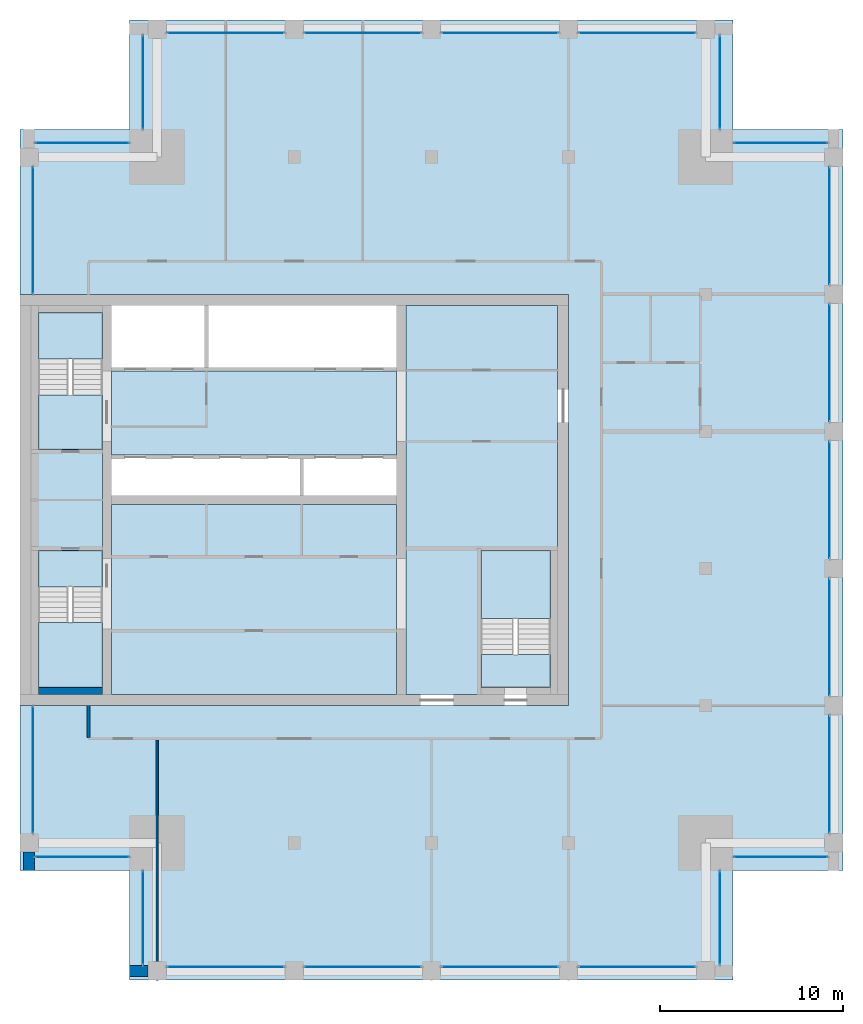
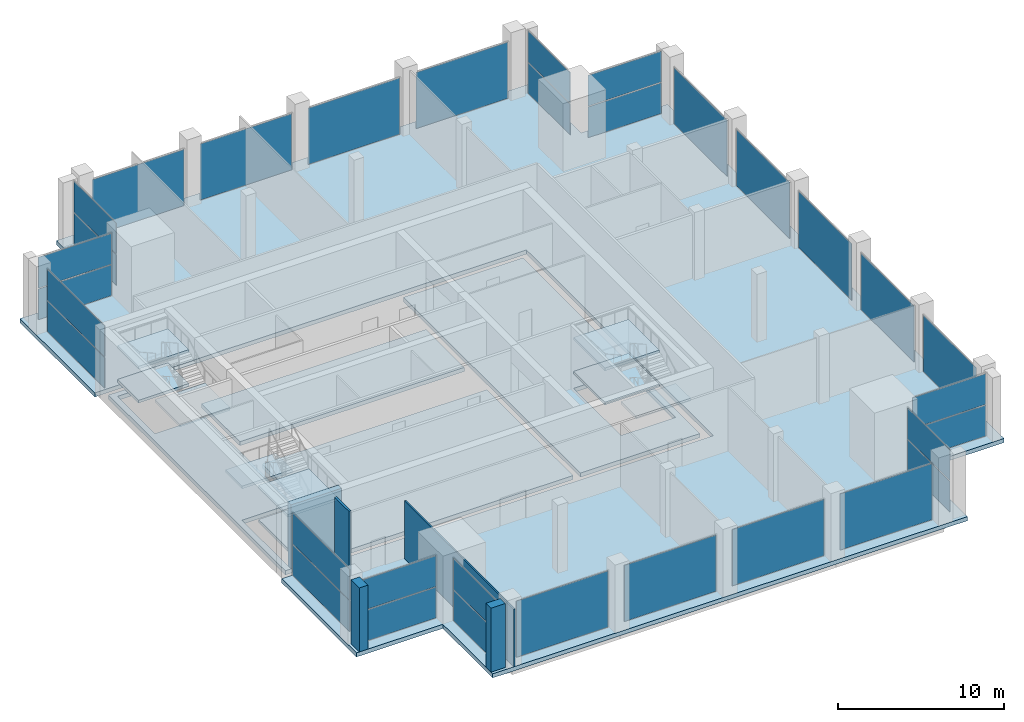
# One storey, part 7 of 15: 33 plates, 14 slabs, 5 walls, 26 elements without a shape of their own.
"""IFC4 building model written with IfcOpenShell, lengths in metres."""

from ifc_helpers import new_model, si_unit, direction, frame, frame_2d, origin, origin_2d, place, context, subcontext, project, spatial, polyline, rectangle, outline, extrude, material, layer, layer_set, type_object, element, aggregate, save


model = new_model("IFC4")

# Units and contexts
model_context = context("Model", 3, precision=1e-05, world=origin(), true_north=direction((0.0, 1.0)))
body_context = subcontext(model_context, "Body", "Model", "MODEL_VIEW")
ifc_project = project(units=[si_unit("LENGTHUNIT", "METRE"), si_unit("AREAUNIT", "SQUARE_METRE"), si_unit("VOLUMEUNIT", "CUBIC_METRE"), si_unit("PLANEANGLEUNIT", "RADIAN"), si_unit("MASSUNIT", "GRAM", prefix="KILO")], contexts=[model_context])

# Site, building, storey
site_placement = place(None, origin())
site = spatial("IfcSite", under=ifc_project, at=site_placement, CompositionType="ELEMENT")
building_placement = place(site_placement, origin())
building = spatial("IfcBuilding", under=site, at=building_placement, Name="Tamorin Gate", CompositionType="ELEMENT")
storey_placement = place(building_placement, frame((0.0, 0.0, 287.199951171875)))
storey = spatial("IfcBuildingStorey", under=building, at=storey_placement, Name="L72", CompositionType="ELEMENT", Elevation=287.199951171875)

# Curtain wall, plate
ifc_material_1 = material(Name="Aluminium mullions and transoms with clear glass", Category="aluminium")
ifc_layer_1 = layer(ifc_material_1, 0.159912109375)
ifc_layer_set_1 = layer_set([ifc_layer_1], Name="Curtain wall system CW2")
curtain_wall_type = type_object("IfcCurtainWallType", Name="Curtain wall system CW2", PredefinedType="NOTDEFINED", material=ifc_layer_set_1)
curtain_wall_1_placement = place(storey_placement, origin())
curtain_wall_1 = element("IfcCurtainWall", 1, at=curtain_wall_1_placement, inside=storey, type_object=curtain_wall_type, Name="Curtain wall", PredefinedType="NOTDEFINED")
ifc_material_2 = material(Name="Clear glass", Category="glass")
ifc_layer_2 = layer(ifc_material_2, 0.028076171875)
ifc_layer_set_2 = layer_set([ifc_layer_2], Name="Clear glass panel IGU 28")
plate_type = type_object("IfcPlateType", Name="Clear glass panel IGU 28", PredefinedType="CURTAIN_PANEL", material=ifc_layer_set_2)
plate_1_placement = place(storey_placement, frame((41.25, 45.719970703125, 0.06005859375), z_axis=(0.0, 0.0, 1.0), x_axis=(1.0, 0.0, 0.0)))
plate_1 = element("IfcPlate", 2, at=plate_1_placement, type_object=plate_type, Name="CW2 panel 1.1", PredefinedType="CURTAIN_PANEL", context=body_context, shape_type="SweptSolid", body=[
    extrude(rectangle(XDim=6.3798828125, YDim=0.028076171875, at=origin_2d()), origin(), (0.0, 0.0, 1.0), 4.1298828125),
])
aggregate(curtain_wall_1, [plate_1])

curtain_wall_2_placement = place(storey_placement, origin())
curtain_wall_2 = element("IfcCurtainWall", 3, at=curtain_wall_2_placement, inside=storey, type_object=curtain_wall_type, Name="Curtain wall", PredefinedType="NOTDEFINED")
plate_2_placement = place(storey_placement, frame((48.75, 45.719970703125, 0.06005859375), z_axis=(0.0, 0.0, 1.0), x_axis=(1.0, 0.0, 0.0)))
plate_2 = element("IfcPlate", 4, at=plate_2_placement, type_object=plate_type, Name="CW2 panel 1.1", PredefinedType="CURTAIN_PANEL", context=body_context, shape_type="SweptSolid", body=[
    extrude(rectangle(XDim=6.3798828125, YDim=0.028076171875, at=origin_2d()), origin(), (0.0, 0.0, 1.0), 4.1298828125),
])
aggregate(curtain_wall_2, [plate_2])

curtain_wall_3_placement = place(storey_placement, origin())
curtain_wall_3 = element("IfcCurtainWall", 5, at=curtain_wall_3_placement, inside=storey, type_object=curtain_wall_type, Name="Curtain wall", PredefinedType="NOTDEFINED")
plate_3_placement = place(storey_placement, frame((56.25, 45.719970703125, 0.06005859375), z_axis=(0.0, 0.0, 1.0), x_axis=(1.0, 0.0, 0.0)))
plate_3 = element("IfcPlate", 6, at=plate_3_placement, type_object=plate_type, Name="CW2 panel 1.1", PredefinedType="CURTAIN_PANEL", context=body_context, shape_type="SweptSolid", body=[
    extrude(rectangle(XDim=6.3798828125, YDim=0.028076171875, at=origin_2d()), origin(), (0.0, 0.0, 1.0), 4.1298828125),
])
aggregate(curtain_wall_3, [plate_3])

curtain_wall_4_placement = place(storey_placement, origin())
curtain_wall_4 = element("IfcCurtainWall", 7, at=curtain_wall_4_placement, inside=storey, type_object=curtain_wall_type, Name="Curtain wall", PredefinedType="NOTDEFINED")
plate_4_placement = place(storey_placement, frame((63.75, 45.719970703125, 0.06005859375), z_axis=(0.0, 0.0, 1.0), x_axis=(1.0, 0.0, 0.0)))
plate_4 = element("IfcPlate", 8, at=plate_4_placement, type_object=plate_type, Name="CW2 panel 1.1", PredefinedType="CURTAIN_PANEL", context=body_context, shape_type="SweptSolid", body=[
    extrude(rectangle(XDim=6.3798828125, YDim=0.028076171875, at=origin_2d()), origin(), (0.0, 0.0, 1.0), 4.1298828125),
])
aggregate(curtain_wall_4, [plate_4])

# Curtain wall, plates
curtain_wall_5_placement = place(storey_placement, origin())
curtain_wall_5 = element("IfcCurtainWall", 9, at=curtain_wall_5_placement, inside=storey, type_object=curtain_wall_type, Name="Curtain wall", PredefinedType="NOTDEFINED")
plate_5_placement = place(storey_placement, frame((68.280029296875, 48.39990234375, 0.06005859375), z_axis=(0.0, 0.0, 1.0), x_axis=(0.0, 1.0, 0.0)))
plate_5 = element("IfcPlate", 10, at=plate_5_placement, type_object=plate_type, Name="CW2 panel 1.1", PredefinedType="CURTAIN_PANEL", context=body_context, shape_type="SweptSolid", body=[
    extrude(rectangle(XDim=5.080078125, YDim=0.028076171875, at=origin_2d()), origin(), (0.0, 0.0, 1.0), 2.260009765625),
])
plate_6_placement = place(storey_placement, frame((68.280029296875, 48.39990234375, 2.3798828125), z_axis=(0.0, 0.0, 1.0), x_axis=(0.0, 1.0, 0.0)))
plate_6 = element("IfcPlate", 11, at=plate_6_placement, type_object=plate_type, Name="CW2 panel 1.2", PredefinedType="CURTAIN_PANEL", context=body_context, shape_type="SweptSolid", body=[
    extrude(rectangle(XDim=5.080078125, YDim=0.028076171875, at=origin_2d()), origin(), (0.0, 0.0, 1.0), 2.260009765625),
])
aggregate(curtain_wall_5, [plate_5, plate_6])

curtain_wall_6_placement = place(storey_placement, origin())
curtain_wall_6 = element("IfcCurtainWall", 12, at=curtain_wall_6_placement, inside=storey, type_object=curtain_wall_type, Name="Curtain wall", PredefinedType="NOTDEFINED")
plate_7_placement = place(storey_placement, frame((71.60009765625, 51.719970703125, 0.06005859375), z_axis=(0.0, 0.0, 1.0), x_axis=(1.0, 0.0, 0.0)))
plate_7 = element("IfcPlate", 13, at=plate_7_placement, type_object=plate_type, Name="CW2 panel 1.1", PredefinedType="CURTAIN_PANEL", context=body_context, shape_type="SweptSolid", body=[
    extrude(rectangle(XDim=5.080078125, YDim=0.028076171875, at=origin_2d()), origin(), (0.0, 0.0, 1.0), 2.260009765625),
])
plate_8_placement = place(storey_placement, frame((71.60009765625, 51.719970703125, 2.3798828125), z_axis=(0.0, 0.0, 1.0), x_axis=(1.0, 0.0, 0.0)))
plate_8 = element("IfcPlate", 14, at=plate_8_placement, type_object=plate_type, Name="CW2 panel 1.2", PredefinedType="CURTAIN_PANEL", context=body_context, shape_type="SweptSolid", body=[
    extrude(rectangle(XDim=5.080078125, YDim=0.028076171875, at=origin_2d()), origin(), (0.0, 0.0, 1.0), 2.260009765625),
])
aggregate(curtain_wall_6, [plate_7, plate_8])

# Curtain wall, plate
curtain_wall_7_placement = place(storey_placement, origin())
curtain_wall_7 = element("IfcCurtainWall", 15, at=curtain_wall_7_placement, inside=storey, type_object=curtain_wall_type, Name="Curtain wall", PredefinedType="NOTDEFINED")
plate_9_placement = place(storey_placement, frame((74.280029296875, 56.25, 0.06005859375), z_axis=(0.0, 0.0, 1.0), x_axis=(0.0, 1.0, 0.0)))
plate_9 = element("IfcPlate", 16, at=plate_9_placement, type_object=plate_type, Name="CW2 panel 1.1", PredefinedType="CURTAIN_PANEL", context=body_context, shape_type="SweptSolid", body=[
    extrude(rectangle(XDim=6.3798828125, YDim=0.028076171875, at=origin_2d()), origin(), (0.0, 0.0, 1.0), 4.1298828125),
])
aggregate(curtain_wall_7, [plate_9])

curtain_wall_8_placement = place(storey_placement, origin())
curtain_wall_8 = element("IfcCurtainWall", 17, at=curtain_wall_8_placement, inside=storey, type_object=curtain_wall_type, Name="Curtain wall", PredefinedType="NOTDEFINED")
plate_10_placement = place(storey_placement, frame((74.280029296875, 63.75, 0.06005859375), z_axis=(0.0, 0.0, 1.0), x_axis=(0.0, 1.0, 0.0)))
plate_10 = element("IfcPlate", 18, at=plate_10_placement, type_object=plate_type, Name="CW2 panel 1.1", PredefinedType="CURTAIN_PANEL", context=body_context, shape_type="SweptSolid", body=[
    extrude(rectangle(XDim=6.3798828125, YDim=0.028076171875, at=origin_2d()), origin(), (0.0, 0.0, 1.0), 4.1298828125),
])
aggregate(curtain_wall_8, [plate_10])

curtain_wall_9_placement = place(storey_placement, origin())
curtain_wall_9 = element("IfcCurtainWall", 19, at=curtain_wall_9_placement, inside=storey, type_object=curtain_wall_type, Name="Curtain wall", PredefinedType="NOTDEFINED")
plate_11_placement = place(storey_placement, frame((74.280029296875, 71.25, 0.06005859375), z_axis=(0.0, 0.0, 1.0), x_axis=(0.0, 1.0, 0.0)))
plate_11 = element("IfcPlate", 20, at=plate_11_placement, type_object=plate_type, Name="CW2 panel 1.1", PredefinedType="CURTAIN_PANEL", context=body_context, shape_type="SweptSolid", body=[
    extrude(rectangle(XDim=6.3798828125, YDim=0.028076171875, at=origin_2d()), origin(), (0.0, 0.0, 1.0), 4.1298828125),
])
aggregate(curtain_wall_9, [plate_11])

curtain_wall_10_placement = place(storey_placement, origin())
curtain_wall_10 = element("IfcCurtainWall", 21, at=curtain_wall_10_placement, inside=storey, type_object=curtain_wall_type, Name="Curtain wall", PredefinedType="NOTDEFINED")
plate_12_placement = place(storey_placement, frame((74.280029296875, 78.75, 0.06005859375), z_axis=(0.0, 0.0, 1.0), x_axis=(0.0, 1.0, 0.0)))
plate_12 = element("IfcPlate", 22, at=plate_12_placement, type_object=plate_type, Name="CW2 panel 1.1", PredefinedType="CURTAIN_PANEL", context=body_context, shape_type="SweptSolid", body=[
    extrude(rectangle(XDim=6.3798828125, YDim=0.028076171875, at=origin_2d()), origin(), (0.0, 0.0, 1.0), 4.1298828125),
])
aggregate(curtain_wall_10, [plate_12])

curtain_wall_11_placement = place(storey_placement, origin())
curtain_wall_11 = element("IfcCurtainWall", 23, at=curtain_wall_11_placement, inside=storey, type_object=curtain_wall_type, Name="Curtain wall", PredefinedType="NOTDEFINED")
plate_13_placement = place(storey_placement, frame((74.280029296875, 86.25, 0.06005859375), z_axis=(0.0, 0.0, 1.0), x_axis=(0.0, 1.0, 0.0)))
plate_13 = element("IfcPlate", 24, at=plate_13_placement, type_object=plate_type, Name="CW2 panel 1.1", PredefinedType="CURTAIN_PANEL", context=body_context, shape_type="SweptSolid", body=[
    extrude(rectangle(XDim=6.3798828125, YDim=0.028076171875, at=origin_2d()), origin(), (0.0, 0.0, 1.0), 4.1298828125),
])
aggregate(curtain_wall_11, [plate_13])

# Curtain wall, plates
curtain_wall_12_placement = place(storey_placement, origin())
curtain_wall_12 = element("IfcCurtainWall", 25, at=curtain_wall_12_placement, inside=storey, type_object=curtain_wall_type, Name="Curtain wall", PredefinedType="NOTDEFINED")
plate_14_placement = place(storey_placement, frame((71.60009765625, 90.780029296875, 0.06005859375), z_axis=(0.0, 0.0, 1.0), x_axis=(-1.0, 0.0, 0.0)))
plate_14 = element("IfcPlate", 26, at=plate_14_placement, type_object=plate_type, Name="CW2 panel 1.1", PredefinedType="CURTAIN_PANEL", context=body_context, shape_type="SweptSolid", body=[
    extrude(rectangle(XDim=5.080078125, YDim=0.028076171875, at=origin_2d()), origin(), (0.0, 0.0, 1.0), 2.260009765625),
])
plate_15_placement = place(storey_placement, frame((71.60009765625, 90.780029296875, 2.3798828125), z_axis=(0.0, 0.0, 1.0), x_axis=(-1.0, 0.0, 0.0)))
plate_15 = element("IfcPlate", 27, at=plate_15_placement, type_object=plate_type, Name="CW2 panel 1.2", PredefinedType="CURTAIN_PANEL", context=body_context, shape_type="SweptSolid", body=[
    extrude(rectangle(XDim=5.080078125, YDim=0.028076171875, at=origin_2d()), origin(), (0.0, 0.0, 1.0), 2.260009765625),
])
aggregate(curtain_wall_12, [plate_14, plate_15])

curtain_wall_13_placement = place(storey_placement, origin())
curtain_wall_13 = element("IfcCurtainWall", 28, at=curtain_wall_13_placement, inside=storey, type_object=curtain_wall_type, Name="Curtain wall", PredefinedType="NOTDEFINED")
plate_16_placement = place(storey_placement, frame((68.280029296875, 94.10009765625, 0.06005859375), z_axis=(0.0, 0.0, 1.0), x_axis=(0.0, 1.0, 0.0)))
plate_16 = element("IfcPlate", 29, at=plate_16_placement, type_object=plate_type, Name="CW2 panel 1.1", PredefinedType="CURTAIN_PANEL", context=body_context, shape_type="SweptSolid", body=[
    extrude(rectangle(XDim=5.080078125, YDim=0.028076171875, at=origin_2d()), origin(), (0.0, 0.0, 1.0), 2.260009765625),
])
plate_17_placement = place(storey_placement, frame((68.280029296875, 94.10009765625, 2.3798828125), z_axis=(0.0, 0.0, 1.0), x_axis=(0.0, 1.0, 0.0)))
plate_17 = element("IfcPlate", 30, at=plate_17_placement, type_object=plate_type, Name="CW2 panel 1.2", PredefinedType="CURTAIN_PANEL", context=body_context, shape_type="SweptSolid", body=[
    extrude(rectangle(XDim=5.080078125, YDim=0.028076171875, at=origin_2d()), origin(), (0.0, 0.0, 1.0), 2.260009765625),
])
aggregate(curtain_wall_13, [plate_16, plate_17])

# Curtain wall, plate
curtain_wall_14_placement = place(storey_placement, origin())
curtain_wall_14 = element("IfcCurtainWall", 31, at=curtain_wall_14_placement, inside=storey, type_object=curtain_wall_type, Name="Curtain wall", PredefinedType="NOTDEFINED")
plate_18_placement = place(storey_placement, frame((63.75, 96.780029296875, 0.06005859375), z_axis=(0.0, 0.0, 1.0), x_axis=(-1.0, 0.0, 0.0)))
plate_18 = element("IfcPlate", 32, at=plate_18_placement, type_object=plate_type, Name="CW2 panel 1.1", PredefinedType="CURTAIN_PANEL", context=body_context, shape_type="SweptSolid", body=[
    extrude(rectangle(XDim=6.3798828125, YDim=0.028076171875, at=origin_2d()), origin(), (0.0, 0.0, 1.0), 4.1298828125),
])
aggregate(curtain_wall_14, [plate_18])

curtain_wall_15_placement = place(storey_placement, origin())
curtain_wall_15 = element("IfcCurtainWall", 33, at=curtain_wall_15_placement, inside=storey, type_object=curtain_wall_type, Name="Curtain wall", PredefinedType="NOTDEFINED")
plate_19_placement = place(storey_placement, frame((56.25, 96.780029296875, 0.06005859375), z_axis=(0.0, 0.0, 1.0), x_axis=(-1.0, 0.0, 0.0)))
plate_19 = element("IfcPlate", 34, at=plate_19_placement, type_object=plate_type, Name="CW2 panel 1.1", PredefinedType="CURTAIN_PANEL", context=body_context, shape_type="SweptSolid", body=[
    extrude(rectangle(XDim=6.3798828125, YDim=0.028076171875, at=origin_2d()), origin(), (0.0, 0.0, 1.0), 4.1298828125),
])
aggregate(curtain_wall_15, [plate_19])

curtain_wall_16_placement = place(storey_placement, origin())
curtain_wall_16 = element("IfcCurtainWall", 35, at=curtain_wall_16_placement, inside=storey, type_object=curtain_wall_type, Name="Curtain wall", PredefinedType="NOTDEFINED")
plate_20_placement = place(storey_placement, frame((48.75, 96.780029296875, 0.06005859375), z_axis=(0.0, 0.0, 1.0), x_axis=(-1.0, 0.0, 0.0)))
plate_20 = element("IfcPlate", 36, at=plate_20_placement, type_object=plate_type, Name="CW2 panel 1.1", PredefinedType="CURTAIN_PANEL", context=body_context, shape_type="SweptSolid", body=[
    extrude(rectangle(XDim=6.3798828125, YDim=0.028076171875, at=origin_2d()), origin(), (0.0, 0.0, 1.0), 4.1298828125),
])
aggregate(curtain_wall_16, [plate_20])

curtain_wall_17_placement = place(storey_placement, origin())
curtain_wall_17 = element("IfcCurtainWall", 37, at=curtain_wall_17_placement, inside=storey, type_object=curtain_wall_type, Name="Curtain wall", PredefinedType="NOTDEFINED")
plate_21_placement = place(storey_placement, frame((41.25, 96.780029296875, 0.06005859375), z_axis=(0.0, 0.0, 1.0), x_axis=(-1.0, 0.0, 0.0)))
plate_21 = element("IfcPlate", 38, at=plate_21_placement, type_object=plate_type, Name="CW2 panel 1.1", PredefinedType="CURTAIN_PANEL", context=body_context, shape_type="SweptSolid", body=[
    extrude(rectangle(XDim=6.3798828125, YDim=0.028076171875, at=origin_2d()), origin(), (0.0, 0.0, 1.0), 4.1298828125),
])
aggregate(curtain_wall_17, [plate_21])

# Curtain wall, plates
curtain_wall_18_placement = place(storey_placement, origin())
curtain_wall_18 = element("IfcCurtainWall", 39, at=curtain_wall_18_placement, inside=storey, type_object=curtain_wall_type, Name="Curtain wall", PredefinedType="NOTDEFINED")
plate_22_placement = place(storey_placement, frame((36.719970703125, 94.10009765625, 0.06005859375), z_axis=(0.0, 0.0, 1.0), x_axis=(0.0, -1.0, 0.0)))
plate_22 = element("IfcPlate", 40, at=plate_22_placement, type_object=plate_type, Name="CW2 panel 1.1", PredefinedType="CURTAIN_PANEL", context=body_context, shape_type="SweptSolid", body=[
    extrude(rectangle(XDim=5.080078125, YDim=0.028076171875, at=origin_2d()), origin(), (0.0, 0.0, 1.0), 2.260009765625),
])
plate_23_placement = place(storey_placement, frame((36.719970703125, 94.10009765625, 2.3798828125), z_axis=(0.0, 0.0, 1.0), x_axis=(0.0, -1.0, 0.0)))
plate_23 = element("IfcPlate", 41, at=plate_23_placement, type_object=plate_type, Name="CW2 panel 1.2", PredefinedType="CURTAIN_PANEL", context=body_context, shape_type="SweptSolid", body=[
    extrude(rectangle(XDim=5.080078125, YDim=0.028076171875, at=origin_2d()), origin(), (0.0, 0.0, 1.0), 2.260009765625),
])
aggregate(curtain_wall_18, [plate_22, plate_23])

curtain_wall_19_placement = place(storey_placement, origin())
curtain_wall_19 = element("IfcCurtainWall", 42, at=curtain_wall_19_placement, inside=storey, type_object=curtain_wall_type, Name="Curtain wall", PredefinedType="NOTDEFINED")
plate_24_placement = place(storey_placement, frame((33.39990234375, 90.780029296875, 0.06005859375), z_axis=(0.0, 0.0, 1.0), x_axis=(-1.0, 0.0, 0.0)))
plate_24 = element("IfcPlate", 43, at=plate_24_placement, type_object=plate_type, Name="CW2 panel 1.1", PredefinedType="CURTAIN_PANEL", context=body_context, shape_type="SweptSolid", body=[
    extrude(rectangle(XDim=5.080078125, YDim=0.028076171875, at=origin_2d()), origin(), (0.0, 0.0, 1.0), 2.260009765625),
])
plate_25_placement = place(storey_placement, frame((33.39990234375, 90.780029296875, 2.3798828125), z_axis=(0.0, 0.0, 1.0), x_axis=(-1.0, 0.0, 0.0)))
plate_25 = element("IfcPlate", 44, at=plate_25_placement, type_object=plate_type, Name="CW2 panel 1.2", PredefinedType="CURTAIN_PANEL", context=body_context, shape_type="SweptSolid", body=[
    extrude(rectangle(XDim=5.080078125, YDim=0.028076171875, at=origin_2d()), origin(), (0.0, 0.0, 1.0), 2.260009765625),
])
aggregate(curtain_wall_19, [plate_24, plate_25])

curtain_wall_20_placement = place(storey_placement, origin())
curtain_wall_20 = element("IfcCurtainWall", 45, at=curtain_wall_20_placement, inside=storey, type_object=curtain_wall_type, Name="Curtain wall", PredefinedType="NOTDEFINED")
plate_26_placement = place(storey_placement, frame((30.719970703125, 86.0, 0.06005859375), z_axis=(0.0, 0.0, 1.0), x_axis=(0.0, -1.0, 0.0)))
plate_26 = element("IfcPlate", 46, at=plate_26_placement, type_object=plate_type, Name="CW2 panel 1.1", PredefinedType="CURTAIN_PANEL", context=body_context, shape_type="SweptSolid", body=[
    extrude(rectangle(XDim=6.8798828125, YDim=0.028076171875, at=origin_2d()), origin(), (0.0, 0.0, 1.0), 2.260009765625),
])
plate_27_placement = place(storey_placement, frame((30.719970703125, 86.0, 2.3798828125), z_axis=(0.0, 0.0, 1.0), x_axis=(0.0, -1.0, 0.0)))
plate_27 = element("IfcPlate", 47, at=plate_27_placement, type_object=plate_type, Name="CW2 panel 1.2", PredefinedType="CURTAIN_PANEL", context=body_context, shape_type="SweptSolid", body=[
    extrude(rectangle(XDim=6.8798828125, YDim=0.028076171875, at=origin_2d()), origin(), (0.0, 0.0, 1.0), 2.260009765625),
])
aggregate(curtain_wall_20, [plate_26, plate_27])

curtain_wall_21_placement = place(storey_placement, origin())
curtain_wall_21 = element("IfcCurtainWall", 48, at=curtain_wall_21_placement, inside=storey, type_object=curtain_wall_type, Name="Curtain wall", PredefinedType="NOTDEFINED")
plate_28_placement = place(storey_placement, frame((30.719970703125, 56.5, 0.06005859375), z_axis=(0.0, 0.0, 1.0), x_axis=(0.0, -1.0, 0.0)))
plate_28 = element("IfcPlate", 49, at=plate_28_placement, type_object=plate_type, Name="CW2 panel 1.1", PredefinedType="CURTAIN_PANEL", context=body_context, shape_type="SweptSolid", body=[
    extrude(rectangle(XDim=6.8798828125, YDim=0.028076171875, at=origin_2d()), origin(), (0.0, 0.0, 1.0), 2.260009765625),
])
plate_29_placement = place(storey_placement, frame((30.719970703125, 56.5, 2.3798828125), z_axis=(0.0, 0.0, 1.0), x_axis=(0.0, -1.0, 0.0)))
plate_29 = element("IfcPlate", 50, at=plate_29_placement, type_object=plate_type, Name="CW2 panel 1.2", PredefinedType="CURTAIN_PANEL", context=body_context, shape_type="SweptSolid", body=[
    extrude(rectangle(XDim=6.8798828125, YDim=0.028076171875, at=origin_2d()), origin(), (0.0, 0.0, 1.0), 2.260009765625),
])
aggregate(curtain_wall_21, [plate_28, plate_29])

curtain_wall_22_placement = place(storey_placement, origin())
curtain_wall_22 = element("IfcCurtainWall", 51, at=curtain_wall_22_placement, inside=storey, type_object=curtain_wall_type, Name="Curtain wall", PredefinedType="NOTDEFINED")
plate_30_placement = place(storey_placement, frame((33.39990234375, 51.719970703125, 0.06005859375), z_axis=(0.0, 0.0, 1.0), x_axis=(1.0, 0.0, 0.0)))
plate_30 = element("IfcPlate", 52, at=plate_30_placement, type_object=plate_type, Name="CW2 panel 1.1", PredefinedType="CURTAIN_PANEL", context=body_context, shape_type="SweptSolid", body=[
    extrude(rectangle(XDim=5.080078125, YDim=0.028076171875, at=origin_2d()), origin(), (0.0, 0.0, 1.0), 2.260009765625),
])
plate_31_placement = place(storey_placement, frame((33.39990234375, 51.719970703125, 2.3798828125), z_axis=(0.0, 0.0, 1.0), x_axis=(1.0, 0.0, 0.0)))
plate_31 = element("IfcPlate", 53, at=plate_31_placement, type_object=plate_type, Name="CW2 panel 1.2", PredefinedType="CURTAIN_PANEL", context=body_context, shape_type="SweptSolid", body=[
    extrude(rectangle(XDim=5.080078125, YDim=0.028076171875, at=origin_2d()), origin(), (0.0, 0.0, 1.0), 2.260009765625),
])
aggregate(curtain_wall_22, [plate_30, plate_31])

curtain_wall_23_placement = place(storey_placement, origin())
curtain_wall_23 = element("IfcCurtainWall", 54, at=curtain_wall_23_placement, inside=storey, type_object=curtain_wall_type, Name="Curtain wall", PredefinedType="NOTDEFINED")
plate_32_placement = place(storey_placement, frame((36.719970703125, 48.39990234375, 0.06005859375), z_axis=(0.0, 0.0, 1.0), x_axis=(0.0, -1.0, 0.0)))
plate_32 = element("IfcPlate", 55, at=plate_32_placement, type_object=plate_type, Name="CW2 panel 1.1", PredefinedType="CURTAIN_PANEL", context=body_context, shape_type="SweptSolid", body=[
    extrude(rectangle(XDim=5.080078125, YDim=0.028076171875, at=origin_2d()), origin(), (0.0, 0.0, 1.0), 2.260009765625),
])
plate_33_placement = place(storey_placement, frame((36.719970703125, 48.39990234375, 2.3798828125), z_axis=(0.0, 0.0, 1.0), x_axis=(0.0, -1.0, 0.0)))
plate_33 = element("IfcPlate", 56, at=plate_33_placement, type_object=plate_type, Name="CW2 panel 1.2", PredefinedType="CURTAIN_PANEL", context=body_context, shape_type="SweptSolid", body=[
    extrude(rectangle(XDim=5.080078125, YDim=0.028076171875, at=origin_2d()), origin(), (0.0, 0.0, 1.0), 2.260009765625),
])
aggregate(curtain_wall_23, [plate_32, plate_33])

# Slabs
ifc_material_3 = material(Name="Concrete C40/50", Category="concrete")
ifc_layer_3 = layer(ifc_material_3, 0.300048828125)
ifc_layer_set_3 = layer_set([ifc_layer_3], Name="Core floor slab 300 C40/50")
slab_type_1 = type_object("IfcSlabType", Name="Core floor slab 300 C40/50", PredefinedType="FLOOR", material=ifc_layer_set_3)
slab_1_placement = place(storey_placement, frame((0.0, 0.0, -0.300048828125)))
element("IfcSlab", 57, at=slab_1_placement, inside=storey, type_object=slab_type_1, Name="Core floor L72", PredefinedType="FLOOR", context=body_context, shape_type="SweptSolid", body=[
    extrude(outline(polyline([(51.10009765625, 81.89990234375), (59.39990234375, 81.89990234375), (59.39990234375, 60.60009765625), (51.10009765625, 60.60009765625), (51.10009765625, 81.89990234375)]), holes=[polyline([(55.199951171875, 62.800048828125), (59.0, 62.800048828125), (59.0, 68.5), (55.199951171875, 68.5), (55.199951171875, 62.800048828125)])]), origin(), (0.0, 0.0, 1.0), 0.300048828125),
])
slab_2_placement = place(storey_placement, frame((0.0, 0.0, -0.300048828125)))
element("IfcSlab", 58, at=slab_2_placement, inside=storey, type_object=slab_type_1, Name="Core floor L72", PredefinedType="FLOOR", context=body_context, shape_type="SweptSolid", body=[
    extrude(outline(polyline([(50.60009765625, 71.0), (50.60009765625, 60.60009765625), (35.0, 60.60009765625), (35.0, 71.0), (50.60009765625, 71.0)])), origin(), (0.0, 0.0, 1.0), 0.300048828125),
])
slab_3_placement = place(storey_placement, frame((0.0, 0.0, -0.300048828125)))
element("IfcSlab", 59, at=slab_3_placement, inside=storey, type_object=slab_type_1, Name="Core floor L72", PredefinedType="FLOOR", context=body_context, shape_type="SweptSolid", body=[
    extrude(outline(polyline([(50.60009765625, 73.699951171875), (35.0, 73.699951171875), (35.0, 78.300048828125), (50.60009765625, 78.300048828125), (50.60009765625, 73.699951171875)])), origin(), (0.0, 0.0, 1.0), 0.300048828125),
])
slab_4_placement = place(storey_placement, frame((0.0, 0.0, -0.300048828125)))
element("IfcSlab", 60, at=slab_4_placement, inside=storey, type_object=slab_type_1, Name="Core floor L72", PredefinedType="FLOOR", context=body_context, shape_type="SweptSolid", body=[
    extrude(outline(polyline([(34.5, 60.60009765625), (30.60009765625, 60.60009765625), (30.60009765625, 81.89990234375), (34.5, 81.89990234375), (34.5, 81.5), (31.0, 81.5), (31.0, 77.0), (34.5, 77.0), (34.5, 66.5), (31.0, 66.5), (31.0, 61.0), (34.5, 61.0), (34.5, 60.60009765625)])), origin(), (0.0, 0.0, 1.0), 0.300048828125),
])

# Stair, slabs
stair_type = type_object("IfcStairType", Name="Exit stair", PredefinedType="HALF_TURN_STAIR", material=ifc_material_3)
stair_1_placement = place(storey_placement, origin())
stair_1 = element("IfcStair", 61, at=stair_1_placement, inside=storey, type_object=stair_type, Name="L72 stair ST1", PredefinedType="HALF_TURN_STAIR")
ifc_layer_4 = layer(ifc_material_3, 0.199951171875)
ifc_layer_set_4 = layer_set([ifc_layer_4], Name="Exit stair landing 200")
slab_type_2 = type_object("IfcSlabType", Name="Exit stair landing 200", PredefinedType="LANDING", material=ifc_layer_set_4)
slab_5_placement = place(storey_placement, frame((0.0, 0.0, 1.050048828125)))
slab_5 = element("IfcSlab", 62, at=slab_5_placement, type_object=slab_type_2, Name="ST1 landing 1", PredefinedType="LANDING", context=body_context, shape_type="SweptSolid", body=[
    extrude(outline(polyline([(31.0, 64.5400390625), (31.0, 61.0), (34.5, 61.0), (34.5, 64.5400390625), (31.0, 64.5400390625)])), origin(), (0.0, 0.0, 1.0), 0.199951171875),
])
slab_6_placement = place(storey_placement, frame((0.0, 0.0, 2.300048828125)))
slab_6 = element("IfcSlab", 63, at=slab_6_placement, type_object=slab_type_2, Name="ST1 landing 2", PredefinedType="LANDING", context=body_context, shape_type="SweptSolid", body=[
    extrude(outline(polyline([(31.0, 68.5), (31.0, 66.5), (34.5, 66.5), (34.5, 68.5), (31.0, 68.5)])), origin(), (0.0, 0.0, 1.0), 0.199951171875),
])
slab_7_placement = place(storey_placement, frame((0.0, 0.0, 3.550048828125)))
slab_7 = element("IfcSlab", 64, at=slab_7_placement, type_object=slab_type_2, Name="ST1 landing 3", PredefinedType="LANDING", context=body_context, shape_type="SweptSolid", body=[
    extrude(outline(polyline([(31.0, 64.5400390625), (31.0, 61.0), (34.5, 61.0), (34.5, 64.5400390625), (31.0, 64.5400390625)])), origin(), (0.0, 0.0, 1.0), 0.199951171875),
])
aggregate(stair_1, [slab_5, slab_6, slab_7])

stair_2_placement = place(storey_placement, origin())
stair_2 = element("IfcStair", 65, at=stair_2_placement, inside=storey, type_object=stair_type, Name="L72 stair ST2", PredefinedType="HALF_TURN_STAIR")
slab_8_placement = place(storey_placement, frame((0.0, 0.0, 1.050048828125)))
slab_8 = element("IfcSlab", 66, at=slab_8_placement, type_object=slab_type_2, Name="ST2 landing 1", PredefinedType="LANDING", context=body_context, shape_type="SweptSolid", body=[
    extrude(outline(polyline([(34.5, 78.9599609375), (34.5, 81.5), (31.0, 81.5), (31.0, 78.9599609375), (34.5, 78.9599609375)])), origin(), (0.0, 0.0, 1.0), 0.199951171875),
])
slab_9_placement = place(storey_placement, frame((0.0, 0.0, 2.300048828125)))
slab_9 = element("IfcSlab", 67, at=slab_9_placement, type_object=slab_type_2, Name="ST2 landing 2", PredefinedType="LANDING", context=body_context, shape_type="SweptSolid", body=[
    extrude(outline(polyline([(34.5, 74.0), (34.5, 77.0), (31.0, 77.0), (31.0, 74.0), (34.5, 74.0)])), origin(), (0.0, 0.0, 1.0), 0.199951171875),
])
slab_10_placement = place(storey_placement, frame((0.0, 0.0, 3.550048828125)))
slab_10 = element("IfcSlab", 68, at=slab_10_placement, type_object=slab_type_2, Name="ST2 landing 3", PredefinedType="LANDING", context=body_context, shape_type="SweptSolid", body=[
    extrude(outline(polyline([(34.5, 78.9599609375), (34.5, 81.5), (31.0, 81.5), (31.0, 78.9599609375), (34.5, 78.9599609375)])), origin(), (0.0, 0.0, 1.0), 0.199951171875),
])
aggregate(stair_2, [slab_8, slab_9, slab_10])

stair_3_placement = place(storey_placement, origin())
stair_3 = element("IfcStair", 69, at=stair_3_placement, inside=storey, type_object=stair_type, Name="L72 stair ST3", PredefinedType="HALF_TURN_STAIR")
slab_11_placement = place(storey_placement, frame((0.0, 0.0, 1.050048828125)))
slab_11 = element("IfcSlab", 70, at=slab_11_placement, type_object=slab_type_2, Name="ST3 landing 1", PredefinedType="LANDING", context=body_context, shape_type="SweptSolid", body=[
    extrude(outline(polyline([(59.0, 64.760009765625), (59.0, 68.5), (55.199951171875, 68.5), (55.199951171875, 64.760009765625), (59.0, 64.760009765625)])), origin(), (0.0, 0.0, 1.0), 0.199951171875),
])
slab_12_placement = place(storey_placement, frame((0.0, 0.0, 2.300048828125)))
slab_12 = element("IfcSlab", 71, at=slab_12_placement, type_object=slab_type_2, Name="ST3 landing 2", PredefinedType="LANDING", context=body_context, shape_type="SweptSolid", body=[
    extrude(outline(polyline([(59.0, 61.0), (59.0, 62.800048828125), (55.199951171875, 62.800048828125), (55.199951171875, 61.0), (59.0, 61.0)])), origin(), (0.0, 0.0, 1.0), 0.199951171875),
])
slab_13_placement = place(storey_placement, frame((0.0, 0.0, 3.550048828125)))
slab_13 = element("IfcSlab", 72, at=slab_13_placement, type_object=slab_type_2, Name="ST3 landing 3", PredefinedType="LANDING", context=body_context, shape_type="SweptSolid", body=[
    extrude(outline(polyline([(59.0, 64.760009765625), (59.0, 68.5), (55.199951171875, 68.5), (55.199951171875, 64.760009765625), (59.0, 64.760009765625)])), origin(), (0.0, 0.0, 1.0), 0.199951171875),
])
aggregate(stair_3, [slab_11, slab_12, slab_13])

# Slab
ifc_layer_5 = layer(ifc_material_3, 0.300048828125)
ifc_layer_set_5 = layer_set([ifc_layer_5], Name="Floor slab 300 C40/50")
slab_type_3 = type_object("IfcSlabType", Name="Floor slab 300 C40/50", PredefinedType="FLOOR", material=ifc_layer_set_5)
slab_14_placement = place(storey_placement, frame((0.0, 0.0, -0.300048828125)))
element("IfcSlab", 73, at=slab_14_placement, inside=storey, type_object=slab_type_3, Name="Floor L72", PredefinedType="FLOOR", context=body_context, shape_type="SweptSolid", body=[
    extrude(outline(polyline([(30.0, 91.5), (36.0, 91.5), (36.0, 97.5), (69.0, 97.5), (69.0, 91.5), (75.0, 91.5), (75.0, 51.0), (69.0, 51.0), (69.0, 45.0), (36.0, 45.0), (36.0, 51.0), (30.0, 51.0), (30.0, 60.0), (60.0, 60.0), (60.0, 82.5), (30.0, 82.5), (30.0, 91.5)])), origin(), (0.0, 0.0, 1.0), 0.300048828125),
])

# Walls
ifc_material_4 = material(Name="Precast concrete C40/50", Category="concrete")
ifc_layer_6 = layer(ifc_material_4, 0.60009765625)
ifc_layer_set_6 = layer_set([ifc_layer_6], Name="Precast concrete C40/50")
wall_type_1 = type_object("IfcWallType", Name="Board-marked concrete facade panel 600", PredefinedType="SOLIDWALL", material=ifc_layer_set_6)
for number, where, z_axis, x_axis, name in (
    (74, (36.0, 45.5, 0.0), (0.0, 0.0, 1.0), (1.0, 0.0, 0.0), "Facade panel"),
    (75, (30.5, 52.0, 0.0), (0.0, 0.0, 1.0), (0.0, -1.0, 0.0), "Facade panel"),
):
    element("IfcWall", number, at=place(storey_placement, frame(where, z_axis=z_axis, x_axis=x_axis)), inside=storey, type_object=wall_type_1, Name=name, PredefinedType="SOLIDWALL", context=body_context, shape_type="SweptSolid", body=[
        extrude(rectangle(XDim=1.0, YDim=0.60009765625, at=frame_2d((0.5, 0.0))), origin(), (0.0, 0.0, 1.0), 4.699951171875),
    ])
ifc_material_5 = material(Name="Gypsum board partition")
ifc_layer_7 = layer(ifc_material_5, 0.14990234375)
ifc_layer_set_7 = layer_set([ifc_layer_7], Name="Corridor wall 150")
wall_type_2 = type_object("IfcWallType", Name="Corridor wall 150", PredefinedType="PARTITIONING", material=ifc_layer_set_7)
wall_1_placement = place(storey_placement, frame((33.75, 58.27490234375, 0.0), z_axis=(0.0, 0.0, 1.0), x_axis=(0.0, 1.0, 0.0)))
element("IfcWall", 76, at=wall_1_placement, inside=storey, type_object=wall_type_2, Name="Corridor wall 150", PredefinedType="PARTITIONING", context=body_context, shape_type="SweptSolid", body=[
    extrude(rectangle(XDim=1.72509765625, YDim=0.14990234375, at=frame_2d((0.862548828125, 0.0))), origin(), (0.0, 0.0, 1.0), 4.699951171875),
])
ifc_layer_8 = layer(ifc_material_5, 0.10009765625)
ifc_layer_set_8 = layer_set([ifc_layer_8], Name="Room partition 100")
wall_type_3 = type_object("IfcWallType", Name="Room partition 100", PredefinedType="PARTITIONING", material=ifc_layer_set_8)
wall_2_placement = place(storey_placement, frame((37.5, 45.0, 0.0), z_axis=(0.0, 0.0, 1.0), x_axis=(0.0, 1.0, 0.0)))
element("IfcWall", 77, at=wall_2_placement, inside=storey, type_object=wall_type_3, Name="Room partition 100", PredefinedType="PARTITIONING", context=body_context, shape_type="SweptSolid", body=[
    extrude(rectangle(XDim=13.125, YDim=0.10009765625, at=frame_2d((6.5625, 0.0))), origin(), (0.0, 0.0, 1.0), 4.25),
])
ifc_material_6 = material(Name="Concrete C50/60", Category="concrete")
ifc_layer_9 = layer(ifc_material_6, 0.39990234375)
ifc_layer_set_9 = layer_set([ifc_layer_9], Name="Stair lining wall 400 EI 120 C50/60")
wall_type_4 = type_object("IfcWallType", Name="Stair lining wall 400 EI 120 C50/60", PredefinedType="SOLIDWALL", material=ifc_layer_set_9)
wall_3_placement = place(storey_placement, frame((31.0, 60.800048828125, 0.0), z_axis=(0.0, 0.0, 1.0), x_axis=(1.0, 0.0, 0.0)))
element("IfcWall", 78, at=wall_3_placement, inside=storey, type_object=wall_type_4, Name="Stair lining wall", PredefinedType="SOLIDWALL", context=body_context, shape_type="SweptSolid", body=[
    extrude(rectangle(XDim=3.5, YDim=0.39990234375, at=frame_2d((1.75, 0.0))), origin(), (0.0, 0.0, 1.0), 4.699951171875),
])

save(model, "model.ifc")
